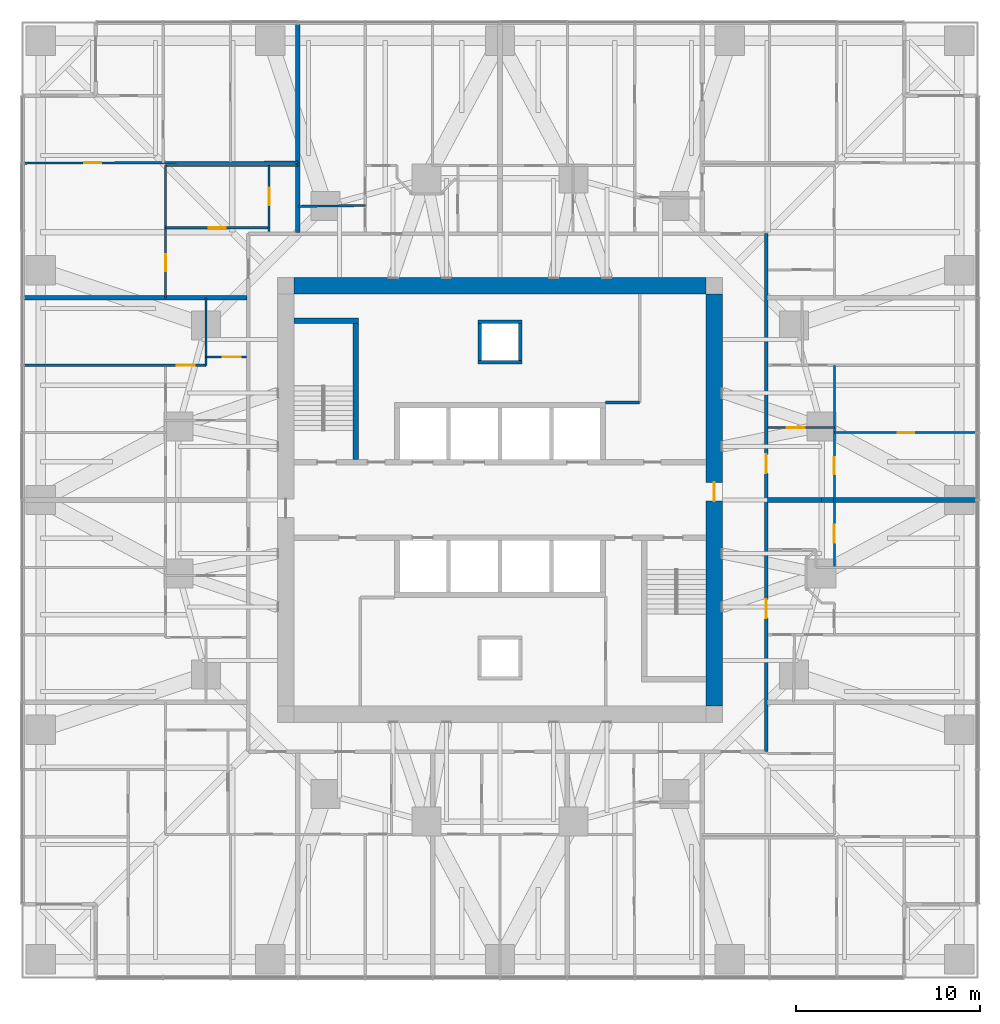
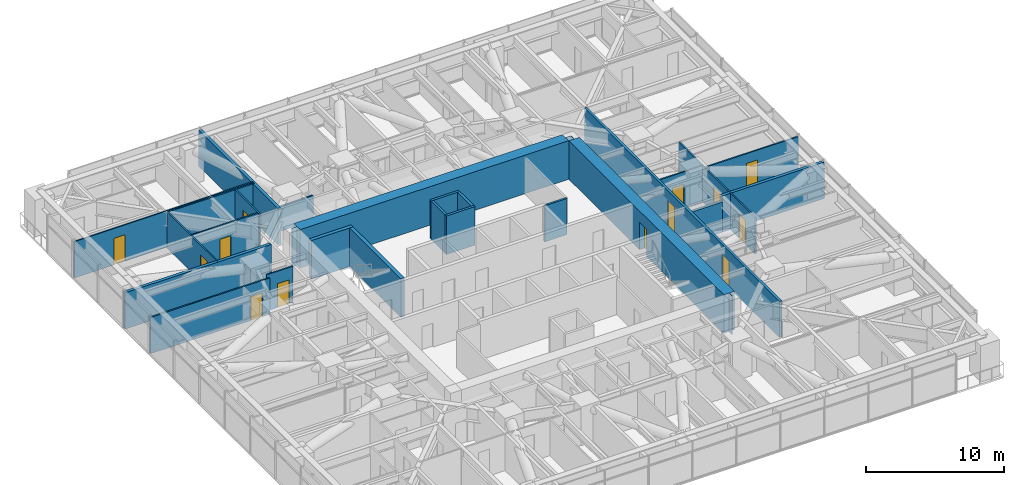
# One storey, part 13 of 17: 26 walls, 13 doors, 13 openings.
"""IFC4 building model written with IfcOpenShell, lengths in metres."""

from ifc_helpers import new_model, si_unit, direction, frame, frame_2d, origin, place, context, subcontext, project, spatial, polyline, rectangle, outline, extrude, material, layer, layer_set, type_object, element, fill, save


model = new_model("IFC4")

# Units and contexts
model_context = context("Model", 3, precision=1e-05, world=origin(), true_north=direction((0.0, 1.0)))
body_context = subcontext(model_context, "Body", "Model", "MODEL_VIEW")
ifc_project = project(units=[si_unit("LENGTHUNIT", "METRE"), si_unit("AREAUNIT", "SQUARE_METRE"), si_unit("VOLUMEUNIT", "CUBIC_METRE"), si_unit("PLANEANGLEUNIT", "RADIAN"), si_unit("MASSUNIT", "GRAM", prefix="KILO")], contexts=[model_context])

# Site, building, storey
site_placement = place(None, origin())
site = spatial("IfcSite", under=ifc_project, at=site_placement, CompositionType="ELEMENT")
building_placement = place(site_placement, origin())
building = spatial("IfcBuilding", under=site, at=building_placement, Name="Torsade Residences", CompositionType="ELEMENT")
storey_placement = place(building_placement, frame((0.0, 0.0, 38.800048828125)))
storey = spatial("IfcBuildingStorey", under=building, at=storey_placement, Name="L10", CompositionType="ELEMENT", Elevation=38.800048828125)

# Walls
ifc_material_1 = material(Name="Concrete 80 MPa", Category="concrete")
ifc_layer_1 = layer(ifc_material_1, 0.300048828125)
ifc_layer_set_1 = layer_set([ifc_layer_1], Name="Concrete 80 MPa")
wall_type_1 = type_object("IfcWallType", Name="CORE INTERNAL WALL 300", PredefinedType="SHEAR", material=ifc_layer_set_1)
wall_1_placement = place(storey_placement, frame((32.14990234375, 32.199951171875, 0.0), z_axis=(0.0, 0.0, 1.0), x_axis=(0.0, 1.0, 0.0)))
element("IfcWall", 1, at=wall_1_placement, inside=storey, type_object=wall_type_1, Name="Core wall ST1E L10", PredefinedType="SHEAR", context=body_context, shape_type="SweptSolid", body=[
    extrude(rectangle(XDim=7.699951171875, YDim=0.300048828125, at=frame_2d((3.85009765625, 0.0))), origin(), (0.0, 0.0, 1.0), 3.39990234375),
])
wall_2_placement = place(storey_placement, frame((28.800048828125, 39.75, 0.0), z_axis=(0.0, 0.0, 1.0), x_axis=(1.0, 0.0, 0.0)))
element("IfcWall", 2, at=wall_2_placement, inside=storey, type_object=wall_type_1, Name="Core wall ST1N L10", PredefinedType="SHEAR", context=body_context, shape_type="SweptSolid", body=[
    extrude(rectangle(XDim=3.5, YDim=0.300048828125, at=frame_2d((1.75, 0.0))), origin(), (0.0, 0.0, 1.0), 3.39990234375),
])
ifc_material_2 = material(Name="Concrete 80 MPa", Category="concrete")
ifc_layer_2 = layer(ifc_material_2, 0.89990234375)
ifc_layer_set_2 = layer_set([ifc_layer_2], Name="Concrete 80 MPa")
wall_type_2 = type_object("IfcWallType", Name="CORE WALL 900", PredefinedType="SHEAR", material=ifc_layer_set_2)
wall_3_placement = place(storey_placement, frame((28.800048828125, 41.64990234375, 0.0), z_axis=(0.0, 0.0, 1.0), x_axis=(1.0, 0.0, 0.0)))
element("IfcWall", 3, at=wall_3_placement, inside=storey, type_object=wall_type_2, Name="Core wall N L10", PredefinedType="SHEAR", context=body_context, shape_type="SweptSolid", body=[
    extrude(outline(polyline([(0.0, -0.449951171875), (22.39990234375, -0.449951171875), (22.39990234375, -0.02490234375), (22.849853515625, -0.02490234375), (22.849853515625, 0.02490234375), (22.39990234375, 0.02490234375), (22.39990234375, 0.449951171875), (0.0, 0.449951171875), (0.0, 0.02490234375), (-0.449951171875, 0.02490234375), (-0.449951171875, -0.02490234375), (0.0, -0.02490234375), (0.0, -0.449951171875)])), origin(), (0.0, 0.0, 1.0), 3.39990234375),
])

# Wall, opening, door
wall_4_placement = place(storey_placement, frame((51.64990234375, 18.800048828125, 0.0), z_axis=(0.0, 0.0, 1.0), x_axis=(0.0, 1.0, 0.0)))
wall_4 = element("IfcWall", 4, at=wall_4_placement, inside=storey, type_object=wall_type_2, Name="Core wall E L10", PredefinedType="SHEAR", context=body_context, shape_type="SweptSolid", body=[
    extrude(outline(polyline([(0.0, -0.449951171875), (22.39990234375, -0.449951171875), (22.39990234375, -0.02490234375), (22.849853515625, -0.02490234375), (22.849853515625, 0.02490234375), (22.39990234375, 0.02490234375), (22.39990234375, 0.449951171875), (0.0, 0.449951171875), (0.0, 0.02490234375), (-0.449951171875, 0.02490234375), (-0.449951171875, -0.02490234375), (0.0, -0.02490234375), (0.0, -0.449951171875)])), origin(), (0.0, 0.0, 1.0), 3.39990234375),
])
opening_1_placement = place(wall_4_placement, frame((11.139892578125, 0.0, 0.0)))
opening_1 = element("IfcOpeningElement", 5, at=opening_1_placement, cuts=wall_4, Name="Opening D04", PredefinedType="OPENING", context=body_context, shape_type="SweptSolid", body=[
    extrude(rectangle(XDim=1.02001953125, YDim=2.39990234375, at=frame_2d((0.510009765625, 1.199951171875))), frame((0.0, 0.4599609375, 0.0), z_axis=(0.0, -1.0, 0.0), x_axis=(1.0, 0.0, 0.0)), (0.0, 0.0, 1.0), 0.919921875),
])
ifc_material_3 = material(Name="Steel-framed fire door", Category="steel")
door_type_1 = type_object("IfcDoorType", Name="LOBBY SMOKE DOOR 1020x2400", OperationType="NOTDEFINED", PredefinedType="DOOR", material=ifc_material_3)
door_1_placement = place(opening_1_placement, origin())
door_1 = element("IfcDoor", 6, at=door_1_placement, inside=storey, type_object=door_type_1, Name="Lift lobby door E L10", OperationType="SINGLE_SWING_LEFT", OverallHeight=2.39990234375, OverallWidth=1.02001953125, PredefinedType="DOOR", context=body_context, shape_type="SweptSolid", body=[
    extrude(rectangle(XDim=1.02001953125, YDim=2.39990234375, at=frame_2d((0.510009765625, 1.199951171875))), frame((0.0, 0.02490234375, 0.0), z_axis=(0.0, -1.0, 0.0), x_axis=(1.0, 0.0, 0.0)), (0.0, 0.0, 1.0), 0.050048828125),
])
fill(opening_1, door_1)

# Wall, openings, doors
ifc_material_4 = material(Name="Plasterboard on steel stud", Category="steel")
ifc_layer_3 = layer(ifc_material_4, 0.199951171875)
ifc_layer_set_3 = layer_set([ifc_layer_3], Name="Plasterboard on steel stud")
wall_type_3 = type_object("IfcWallType", Name="CORRIDOR WALL 200", PredefinedType="PARTITIONING", material=ifc_layer_set_3)
wall_5_placement = place(storey_placement, frame((54.5, 16.300048828125, 0.0), z_axis=(0.0, 0.0, 1.0), x_axis=(0.0, 1.0, 0.0)))
wall_5 = element("IfcWall", 7, at=wall_5_placement, inside=storey, type_object=wall_type_3, Name="Corridor wall L10", PredefinedType="PARTITIONING", context=body_context, shape_type="SweptSolid", body=[
    extrude(rectangle(XDim=28.199951171875, YDim=0.199951171875, at=frame_2d((14.10009765625, 0.0))), origin(), (0.0, 0.0, 1.0), 3.199951171875),
])
opening_2_placement = place(wall_5_placement, frame((7.276611328125, 0.0, 0.0)))
opening_2 = element("IfcOpeningElement", 8, at=opening_2_placement, cuts=wall_5, Name="Opening D01", PredefinedType="OPENING", context=body_context, shape_type="SweptSolid", body=[
    extrude(rectangle(XDim=1.02001953125, YDim=2.340087890625, at=frame_2d((0.510009765625, 1.169921875))), frame((0.0, 0.10986328125, 0.0), z_axis=(0.0, -1.0, 0.0), x_axis=(1.0, 0.0, 0.0)), (0.0, 0.0, 1.0), 0.219970703125),
])
opening_3_placement = place(wall_5_placement, frame((15.16015625, 0.0, 0.0)))
opening_3 = element("IfcOpeningElement", 9, at=opening_3_placement, cuts=wall_5, Name="Opening D01", PredefinedType="OPENING", context=body_context, shape_type="SweptSolid", body=[
    extrude(rectangle(XDim=1.02001953125, YDim=2.340087890625, at=frame_2d((0.510009765625, 1.169921875))), frame((0.0, 0.10986328125, 0.0), z_axis=(0.0, -1.0, 0.0), x_axis=(1.0, 0.0, 0.0)), (0.0, 0.0, 1.0), 0.219970703125),
])
ifc_material_5 = material(Name="Solid-core timber fire door", Category="wood")
door_type_2 = type_object("IfcDoorType", Name="APARTMENT ENTRY DOOR 1020x2340", OperationType="NOTDEFINED", PredefinedType="DOOR", material=ifc_material_5)
door_2_placement = place(opening_2_placement, origin())
door_2 = element("IfcDoor", 10, at=door_2_placement, inside=storey, type_object=door_type_2, Name="Door Residential corridor to Kitchen and dining", OperationType="SINGLE_SWING_RIGHT", OverallHeight=2.340087890625, OverallWidth=1.02001953125, PredefinedType="DOOR", context=body_context, shape_type="SweptSolid", body=[
    extrude(rectangle(XDim=1.02001953125, YDim=2.340087890625, at=frame_2d((0.510009765625, 1.169921875))), frame((0.0, 0.02490234375, 0.0), z_axis=(0.0, -1.0, 0.0), x_axis=(1.0, 0.0, 0.0)), (0.0, 0.0, 1.0), 0.050048828125),
])
fill(opening_2, door_2)
door_3_placement = place(opening_3_placement, origin())
door_3 = element("IfcDoor", 11, at=door_3_placement, inside=storey, type_object=door_type_2, Name="Door Residential corridor to Kitchen and dining", OperationType="SINGLE_SWING_LEFT", OverallHeight=2.340087890625, OverallWidth=1.02001953125, PredefinedType="DOOR", context=body_context, shape_type="SweptSolid", body=[
    extrude(rectangle(XDim=1.02001953125, YDim=2.340087890625, at=frame_2d((0.510009765625, 1.169921875))), frame((0.0, 0.02490234375, 0.0), z_axis=(0.0, -1.0, 0.0), x_axis=(1.0, 0.0, 0.0)), (0.0, 0.0, 1.0), 0.050048828125),
])
fill(opening_3, door_3)

ifc_material_6 = material(Name="Plasterboard on steel stud", Category="steel")
ifc_layer_4 = layer(ifc_material_6, 0.1201171875)
ifc_layer_set_4 = layer_set([ifc_layer_4], Name="Plasterboard on steel stud")
wall_type_4 = type_object("IfcWallType", Name="PARTITION 120", PredefinedType="PARTITIONING", material=ifc_layer_set_4)
wall_6_placement = place(storey_placement, frame((58.199951171875, 37.333251953125, 0.0), z_axis=(0.0, 0.0, 1.0), x_axis=(0.0, -1.0, 0.0)))
wall_6 = element("IfcWall", 12, at=wall_6_placement, inside=storey, type_object=wall_type_4, Name="Partition L10", PredefinedType="PARTITIONING", context=body_context, shape_type="SweptSolid", body=[
    extrude(rectangle(XDim=11.0, YDim=0.1201171875, at=frame_2d((5.5, 0.0))), origin(), (0.0, 0.0, 1.0), 3.199951171875),
])
opening_4_placement = place(wall_6_placement, frame((5.014892578125, 0.0, 0.0)))
opening_4 = element("IfcOpeningElement", 13, at=opening_4_placement, cuts=wall_6, Name="Opening D02", PredefinedType="OPENING", context=body_context, shape_type="SweptSolid", body=[
    extrude(rectangle(XDim=0.919921875, YDim=2.340087890625, at=frame_2d((0.4599609375, 1.169921875))), frame((0.0, 0.070068359375, 0.0), z_axis=(0.0, -1.0, 0.0), x_axis=(1.0, 0.0, 0.0)), (0.0, 0.0, 1.0), 0.14013671875),
])
opening_5_placement = place(wall_6_placement, frame((8.686767578125, 0.0, 0.0)))
opening_5 = element("IfcOpeningElement", 14, at=opening_5_placement, cuts=wall_6, Name="Opening D05", PredefinedType="OPENING", context=body_context, shape_type="SweptSolid", body=[
    extrude(rectangle(XDim=0.9599609375, YDim=2.10009765625, at=frame_2d((0.47998046875, 1.050048828125))), frame((0.0, 0.070068359375, 0.0), z_axis=(0.0, -1.0, 0.0), x_axis=(1.0, 0.0, 0.0)), (0.0, 0.0, 1.0), 0.14013671875),
])
ifc_material_7 = material(Name="Hollow-core timber door in a steel cavity frame", Category="steel")
door_type_3 = type_object("IfcDoorType", Name="BATHROOM CAVITY SLIDING DOOR 960", OperationType="SLIDING_TO_LEFT", PredefinedType="DOOR", material=ifc_material_7)
door_4_placement = place(opening_5_placement, origin())
door_4 = element("IfcDoor", 15, at=door_4_placement, inside=storey, type_object=door_type_3, Name="Door Ensuite to Bedroom 1", OperationType="SLIDING_TO_LEFT", OverallHeight=2.10009765625, OverallWidth=0.9599609375, PredefinedType="DOOR", context=body_context, shape_type="SweptSolid", body=[
    extrude(rectangle(XDim=0.9599609375, YDim=2.10009765625, at=frame_2d((0.47998046875, 1.050048828125))), frame((0.0, 0.02490234375, 0.0), z_axis=(0.0, -1.0, 0.0), x_axis=(1.0, 0.0, 0.0)), (0.0, 0.0, 1.0), 0.050048828125),
])
fill(opening_5, door_4)
ifc_material_8 = material(Name="Hollow-core timber door", Category="wood")
door_type_4 = type_object("IfcDoorType", Name="INTERNAL DOOR 920x2340", OperationType="NOTDEFINED", PredefinedType="DOOR", material=ifc_material_8)
door_5_placement = place(opening_4_placement, origin())
door_5 = element("IfcDoor", 16, at=door_5_placement, inside=storey, type_object=door_type_4, Name="Door Kitchen and dining to Living room", OperationType="SINGLE_SWING_LEFT", OverallHeight=2.340087890625, OverallWidth=0.919921875, PredefinedType="DOOR", context=body_context, shape_type="SweptSolid", body=[
    extrude(rectangle(XDim=0.919921875, YDim=2.340087890625, at=frame_2d((0.4599609375, 1.169921875))), frame((0.0, 0.02490234375, 0.0), z_axis=(0.0, -1.0, 0.0), x_axis=(1.0, 0.0, 0.0)), (0.0, 0.0, 1.0), 0.050048828125),
])
fill(opening_4, door_5)

# Wall, opening, door
wall_7_placement = place(storey_placement, frame((54.60009765625, 33.9404296875, 0.0), z_axis=(0.0, 0.0, 1.0), x_axis=(1.0, 0.0, 0.0)))
wall_7 = element("IfcWall", 17, at=wall_7_placement, inside=storey, type_object=wall_type_4, Name="Partition L10", PredefinedType="PARTITIONING", context=body_context, shape_type="SweptSolid", body=[
    extrude(rectangle(XDim=3.599853515625, YDim=0.1201171875, at=frame_2d((1.7998046875, 0.0))), origin(), (0.0, 0.0, 1.0), 3.199951171875),
])
opening_6_placement = place(wall_7_placement, frame((1.02001953125, 0.0, 0.0)))
opening_6 = element("IfcOpeningElement", 18, at=opening_6_placement, cuts=wall_7, Name="Opening D05", PredefinedType="OPENING", context=body_context, shape_type="SweptSolid", body=[
    extrude(rectangle(XDim=0.9599609375, YDim=2.10009765625, at=frame_2d((0.47998046875, 1.050048828125))), frame((0.0, 0.070068359375, 0.0), z_axis=(0.0, -1.0, 0.0), x_axis=(1.0, 0.0, 0.0)), (0.0, 0.0, 1.0), 0.14013671875),
])
door_6_placement = place(opening_6_placement, origin())
door_6 = element("IfcDoor", 19, at=door_6_placement, inside=storey, type_object=door_type_3, Name="Door Kitchen and dining to Ensuite", OperationType="SLIDING_TO_LEFT", OverallHeight=2.10009765625, OverallWidth=0.9599609375, PredefinedType="DOOR", context=body_context, shape_type="SweptSolid", body=[
    extrude(rectangle(XDim=0.9599609375, YDim=2.10009765625, at=frame_2d((0.47998046875, 1.050048828125))), frame((0.0, 0.02490234375, 0.0), z_axis=(0.0, -1.0, 0.0), x_axis=(1.0, 0.0, 0.0)), (0.0, 0.0, 1.0), 0.050048828125),
])
fill(opening_6, door_6)

wall_8_placement = place(storey_placement, frame((58.199951171875, 33.666748046875, 0.0), z_axis=(0.0, 0.0, 1.0), x_axis=(1.0, 0.0, 0.0)))
wall_8 = element("IfcWall", 20, at=wall_8_placement, inside=storey, type_object=wall_type_4, Name="Partition L10", PredefinedType="PARTITIONING", context=body_context, shape_type="SweptSolid", body=[
    extrude(rectangle(XDim=7.760009765625, YDim=0.1201171875, at=frame_2d((3.8798828125, 0.0))), origin(), (0.0, 0.0, 1.0), 3.199951171875),
])
opening_7_placement = place(wall_8_placement, frame((3.43994140625, 0.0, 0.0)))
opening_7 = element("IfcOpeningElement", 21, at=opening_7_placement, cuts=wall_8, Name="Opening D02", PredefinedType="OPENING", context=body_context, shape_type="SweptSolid", body=[
    extrude(rectangle(XDim=0.919921875, YDim=2.340087890625, at=frame_2d((0.4599609375, 1.169921875))), frame((0.0, 0.070068359375, 0.0), z_axis=(0.0, -1.0, 0.0), x_axis=(1.0, 0.0, 0.0)), (0.0, 0.0, 1.0), 0.14013671875),
])
door_7_placement = place(opening_7_placement, origin())
door_7 = element("IfcDoor", 22, at=door_7_placement, inside=storey, type_object=door_type_4, Name="Door Living room to Bedroom 2", OperationType="SINGLE_SWING_LEFT", OverallHeight=2.340087890625, OverallWidth=0.919921875, PredefinedType="DOOR", context=body_context, shape_type="SweptSolid", body=[
    extrude(rectangle(XDim=0.919921875, YDim=2.340087890625, at=frame_2d((0.4599609375, 1.169921875))), frame((0.0, 0.02490234375, 0.0), z_axis=(0.0, -1.0, 0.0), x_axis=(1.0, 0.0, 0.0)), (0.0, 0.0, 1.0), 0.050048828125),
])
fill(opening_7, door_7)

# Wall
wall_9_placement = place(storey_placement, frame((29.0, 45.979736328125, 0.0), z_axis=(0.0, 0.0, 1.0), x_axis=(0.999909565989, 0.013448414164, 0.0)))
element("IfcWall", 23, at=wall_9_placement, inside=storey, type_object=wall_type_4, Name="Partition L10", PredefinedType="PARTITIONING", context=body_context, shape_type="SweptSolid", body=[
    extrude(rectangle(XDim=3.6669921875, YDim=0.1201171875, at=frame_2d((1.83349609375, 0.0))), origin(), (0.0, 0.0, 1.0), 2.199951171875),
])

# Wall, opening, door
wall_10_placement = place(storey_placement, frame((21.800048828125, 44.82080078125, 0.0), z_axis=(0.0, 0.0, 1.0), x_axis=(1.0, 0.0, 0.0)))
wall_10 = element("IfcWall", 24, at=wall_10_placement, inside=storey, type_object=wall_type_4, Name="Partition L10", PredefinedType="PARTITIONING", context=body_context, shape_type="SweptSolid", body=[
    extrude(rectangle(XDim=5.631103515625, YDim=0.1201171875, at=frame_2d((2.8154296875, 0.0))), origin(), (0.0, 0.0, 1.0), 3.199951171875),
])
opening_8_placement = place(wall_10_placement, frame((2.35546875, 0.0, 0.0)))
opening_8 = element("IfcOpeningElement", 25, at=opening_8_placement, cuts=wall_10, Name="Opening D02N", PredefinedType="OPENING", context=body_context, shape_type="SweptSolid", body=[
    extrude(rectangle(XDim=0.919921875, YDim=2.0, at=frame_2d((0.4599609375, 1.0))), frame((0.0, 0.070068359375, 0.0), z_axis=(0.0, -1.0, 0.0), x_axis=(1.0, 0.0, 0.0)), (0.0, 0.0, 1.0), 0.14013671875),
])
ifc_material_9 = material(Name="Hollow-core timber door", Category="wood")
door_type_5 = type_object("IfcDoorType", Name="INTERNAL DOOR 920x2000", OperationType="NOTDEFINED", PredefinedType="DOOR", material=ifc_material_9)
door_8_placement = place(opening_8_placement, origin())
door_8 = element("IfcDoor", 26, at=door_8_placement, inside=storey, type_object=door_type_5, Name="Door Kitchen and dining to Scullery", OperationType="SINGLE_SWING_RIGHT", OverallHeight=2.0, OverallWidth=0.919921875, PredefinedType="DOOR", context=body_context, shape_type="SweptSolid", body=[
    extrude(rectangle(XDim=0.919921875, YDim=2.0, at=frame_2d((0.4599609375, 1.0))), frame((0.0, 0.02490234375, 0.0), z_axis=(0.0, -1.0, 0.0), x_axis=(1.0, 0.0, 0.0)), (0.0, 0.0, 1.0), 0.050048828125),
])
fill(opening_8, door_8)

wall_11_placement = place(storey_placement, frame((27.43115234375, 48.199951171875, 0.0), z_axis=(0.0, 0.0, 1.0), x_axis=(0.0, -1.0, 0.0)))
wall_11 = element("IfcWall", 27, at=wall_11_placement, inside=storey, type_object=wall_type_4, Name="Partition L10", PredefinedType="PARTITIONING", context=body_context, shape_type="SweptSolid", body=[
    extrude(rectangle(XDim=3.599853515625, YDim=0.1201171875, at=frame_2d((1.7998046875, 0.0))), origin(), (0.0, 0.0, 1.0), 3.199951171875),
])
opening_9_placement = place(wall_11_placement, frame((1.20947265625, 0.0, 0.0)))
opening_9 = element("IfcOpeningElement", 28, at=opening_9_placement, cuts=wall_11, Name="Opening D05", PredefinedType="OPENING", context=body_context, shape_type="SweptSolid", body=[
    extrude(rectangle(XDim=0.9599609375, YDim=2.10009765625, at=frame_2d((0.47998046875, 1.050048828125))), frame((0.0, 0.070068359375, 0.0), z_axis=(0.0, -1.0, 0.0), x_axis=(1.0, 0.0, 0.0)), (0.0, 0.0, 1.0), 0.14013671875),
])
door_9_placement = place(opening_9_placement, origin())
door_9 = element("IfcDoor", 29, at=door_9_placement, inside=storey, type_object=door_type_3, Name="Door Scullery to Bathroom", OperationType="SLIDING_TO_LEFT", OverallHeight=2.10009765625, OverallWidth=0.9599609375, PredefinedType="DOOR", context=body_context, shape_type="SweptSolid", body=[
    extrude(rectangle(XDim=0.9599609375, YDim=2.10009765625, at=frame_2d((0.47998046875, 1.050048828125))), frame((0.0, 0.02490234375, 0.0), z_axis=(0.0, -1.0, 0.0), x_axis=(1.0, 0.0, 0.0)), (0.0, 0.0, 1.0), 0.050048828125),
])
fill(opening_9, door_9)

wall_12_placement = place(storey_placement, frame((21.800048828125, 41.0, 0.0), z_axis=(0.0, 0.0, 1.0), x_axis=(0.0, 1.0, 0.0)))
wall_12 = element("IfcWall", 30, at=wall_12_placement, inside=storey, type_object=wall_type_4, Name="Partition L10", PredefinedType="PARTITIONING", context=body_context, shape_type="SweptSolid", body=[
    extrude(rectangle(XDim=7.199951171875, YDim=0.1201171875, at=frame_2d((3.60009765625, 0.0))), origin(), (0.0, 0.0, 1.0), 3.199951171875),
])
opening_10_placement = place(wall_12_placement, frame((1.450439453125, 0.0, 0.0)))
opening_10 = element("IfcOpeningElement", 31, at=opening_10_placement, cuts=wall_12, Name="Opening D02", PredefinedType="OPENING", context=body_context, shape_type="SweptSolid", body=[
    extrude(rectangle(XDim=0.919921875, YDim=2.340087890625, at=frame_2d((0.4599609375, 1.169921875))), frame((0.0, 0.070068359375, 0.0), z_axis=(0.0, -1.0, 0.0), x_axis=(1.0, 0.0, 0.0)), (0.0, 0.0, 1.0), 0.14013671875),
])
door_10_placement = place(opening_10_placement, origin())
door_10 = element("IfcDoor", 32, at=door_10_placement, inside=storey, type_object=door_type_4, Name="Door Kitchen and dining to Living room", OperationType="SINGLE_SWING_LEFT", OverallHeight=2.340087890625, OverallWidth=0.919921875, PredefinedType="DOOR", context=body_context, shape_type="SweptSolid", body=[
    extrude(rectangle(XDim=0.919921875, YDim=2.340087890625, at=frame_2d((0.4599609375, 1.169921875))), frame((0.0, 0.02490234375, 0.0), z_axis=(0.0, -1.0, 0.0), x_axis=(1.0, 0.0, 0.0)), (0.0, 0.0, 1.0), 0.050048828125),
])
fill(opening_10, door_10)

# Wall
wall_13_placement = place(storey_placement, frame((21.800048828125, 48.199951171875, 0.0), z_axis=(0.0, 0.0, 1.0), x_axis=(1.0, 0.0, 0.0)))
element("IfcWall", 33, at=wall_13_placement, inside=storey, type_object=wall_type_4, Name="Partition L10", PredefinedType="PARTITIONING", context=body_context, shape_type="SweptSolid", body=[
    extrude(rectangle(XDim=7.199951171875, YDim=0.1201171875, at=frame_2d((3.60009765625, 0.0))), origin(), (0.0, 0.0, 1.0), 3.199951171875),
])

# Wall, opening, door
wall_14_placement = place(storey_placement, frame((14.0400390625, 48.333251953125, 0.0), z_axis=(0.0, 0.0, 1.0), x_axis=(0.9999944038, 0.003345499915, 0.0)))
wall_14 = element("IfcWall", 34, at=wall_14_placement, inside=storey, type_object=wall_type_4, Name="Partition L10", PredefinedType="PARTITIONING", context=body_context, shape_type="SweptSolid", body=[
    extrude(rectangle(XDim=14.9599609375, YDim=0.1201171875, at=frame_2d((7.47998046875, 0.0))), origin(), (0.0, 0.0, 1.0), 3.199951171875),
])
opening_11_placement = place(wall_14_placement, frame((3.333251953125, 0.0, 0.0)))
opening_11 = element("IfcOpeningElement", 35, at=opening_11_placement, cuts=wall_14, Name="Opening D02", PredefinedType="OPENING", context=body_context, shape_type="SweptSolid", body=[
    extrude(rectangle(XDim=0.919921875, YDim=2.340087890625, at=frame_2d((0.4599609375, 1.169921875))), frame((0.0, 0.070068359375, 0.0), z_axis=(0.0, -1.0, 0.0), x_axis=(1.0, 0.0, 0.0)), (0.0, 0.0, 1.0), 0.14013671875),
])
door_11_placement = place(opening_11_placement, origin())
door_11 = element("IfcDoor", 36, at=door_11_placement, inside=storey, type_object=door_type_4, Name="Door Living room to Bedroom 1", OperationType="SINGLE_SWING_LEFT", OverallHeight=2.340087890625, OverallWidth=0.919921875, PredefinedType="DOOR", context=body_context, shape_type="SweptSolid", body=[
    extrude(rectangle(XDim=0.919921875, YDim=2.340087890625, at=frame_2d((0.4599609375, 1.169921875))), frame((0.0, 0.02490234375, 0.0), z_axis=(0.0, -1.0, 0.0), x_axis=(1.0, 0.0, 0.0)), (0.0, 0.0, 1.0), 0.050048828125),
])
fill(opening_11, door_11)

wall_15_placement = place(storey_placement, frame((24.0, 37.783203125, 0.0), z_axis=(0.0, 0.0, 1.0), x_axis=(1.0, 0.0, 0.0)))
wall_15 = element("IfcWall", 37, at=wall_15_placement, inside=storey, type_object=wall_type_4, Name="Partition L10", PredefinedType="PARTITIONING", context=body_context, shape_type="SweptSolid", body=[
    extrude(rectangle(XDim=2.199951171875, YDim=0.1201171875, at=frame_2d((1.10009765625, 0.0))), origin(), (0.0, 0.0, 1.0), 3.199951171875),
])
opening_12_placement = place(wall_15_placement, frame((0.919921875, 0.0, 0.0)))
opening_12 = element("IfcOpeningElement", 38, at=opening_12_placement, cuts=wall_15, Name="Opening D05", PredefinedType="OPENING", context=body_context, shape_type="SweptSolid", body=[
    extrude(rectangle(XDim=0.9599609375, YDim=2.10009765625, at=frame_2d((0.47998046875, 1.050048828125))), frame((0.0, 0.070068359375, 0.0), z_axis=(0.0, -1.0, 0.0), x_axis=(1.0, 0.0, 0.0)), (0.0, 0.0, 1.0), 0.14013671875),
])
door_12_placement = place(opening_12_placement, origin())
door_12 = element("IfcDoor", 39, at=door_12_placement, inside=storey, type_object=door_type_3, Name="Door Bathroom to Ensuite", OperationType="SLIDING_TO_LEFT", OverallHeight=2.10009765625, OverallWidth=0.9599609375, PredefinedType="DOOR", context=body_context, shape_type="SweptSolid", body=[
    extrude(rectangle(XDim=0.9599609375, YDim=2.10009765625, at=frame_2d((0.47998046875, 1.050048828125))), frame((0.0, 0.02490234375, 0.0), z_axis=(0.0, -1.0, 0.0), x_axis=(1.0, 0.0, 0.0)), (0.0, 0.0, 1.0), 0.050048828125),
])
fill(opening_12, door_12)

wall_16_placement = place(storey_placement, frame((14.0400390625, 37.333251953125, 0.0), z_axis=(0.0, 0.0, 1.0), x_axis=(1.0, 0.0, 0.0)))
wall_16 = element("IfcWall", 40, at=wall_16_placement, inside=storey, type_object=wall_type_4, Name="Partition L10", PredefinedType="PARTITIONING", context=body_context, shape_type="SweptSolid", body=[
    extrude(rectangle(XDim=9.9599609375, YDim=0.1201171875, at=frame_2d((4.97998046875, 0.0))), origin(), (0.0, 0.0, 1.0), 3.199951171875),
])
opening_13_placement = place(wall_16_placement, frame((8.3798828125, 0.0, 0.0)))
opening_13 = element("IfcOpeningElement", 41, at=opening_13_placement, cuts=wall_16, Name="Opening D05", PredefinedType="OPENING", context=body_context, shape_type="SweptSolid", body=[
    extrude(rectangle(XDim=0.9599609375, YDim=2.10009765625, at=frame_2d((0.47998046875, 1.050048828125))), frame((0.0, 0.070068359375, 0.0), z_axis=(0.0, -1.0, 0.0), x_axis=(1.0, 0.0, 0.0)), (0.0, 0.0, 1.0), 0.14013671875),
])
door_13_placement = place(opening_13_placement, origin())
door_13 = element("IfcDoor", 42, at=door_13_placement, inside=storey, type_object=door_type_3, Name="Door Bathroom to Living room", OperationType="SLIDING_TO_LEFT", OverallHeight=2.10009765625, OverallWidth=0.9599609375, PredefinedType="DOOR", context=body_context, shape_type="SweptSolid", body=[
    extrude(rectangle(XDim=0.9599609375, YDim=2.10009765625, at=frame_2d((0.47998046875, 1.050048828125))), frame((0.0, 0.02490234375, 0.0), z_axis=(0.0, -1.0, 0.0), x_axis=(1.0, 0.0, 0.0)), (0.0, 0.0, 1.0), 0.050048828125),
])
fill(opening_13, door_13)

# Walls
wall_17_placement = place(storey_placement, frame((24.0, 37.333251953125, 0.0), z_axis=(0.0, 0.0, 1.0), x_axis=(0.0, 1.0, 0.0)))
element("IfcWall", 43, at=wall_17_placement, inside=storey, type_object=wall_type_4, Name="Partition L10", PredefinedType="PARTITIONING", context=body_context, shape_type="SweptSolid", body=[
    extrude(rectangle(XDim=3.666748046875, YDim=0.1201171875, at=frame_2d((1.83349609375, 0.0))), origin(), (0.0, 0.0, 1.0), 2.199951171875),
])
ifc_material_10 = material(Name="Masonry-lined stud party wall", Category="masonry")
ifc_layer_5 = layer(ifc_material_10, 0.25)
ifc_layer_set_5 = layer_set([ifc_layer_5], Name="Masonry-lined stud party wall")
wall_type_5 = type_object("IfcWallType", Name="PARTY WALL 250", PredefinedType="PARTITIONING", material=ifc_layer_set_5)
wall_18_placement = place(storey_placement, frame((29.0, 56.0, 0.0), z_axis=(0.0, 0.0, 1.0), x_axis=(0.0, -1.0, 0.0)))
element("IfcWall", 44, at=wall_18_placement, inside=storey, type_object=wall_type_5, Name="Party wall L10", PredefinedType="PARTITIONING", context=body_context, shape_type="SweptSolid", body=[
    extrude(rectangle(XDim=11.43994140625, YDim=0.25, at=frame_2d((5.719970703125, 0.0))), origin(), (0.0, 0.0, 1.0), 3.199951171875),
])
wall_19_placement = place(storey_placement, frame((14.0, 41.0, 0.0), z_axis=(0.0, 0.0, 1.0), x_axis=(1.0, 0.0, 0.0)))
element("IfcWall", 45, at=wall_19_placement, inside=storey, type_object=wall_type_5, Name="Party wall L10", PredefinedType="PARTITIONING", context=body_context, shape_type="SweptSolid", body=[
    extrude(rectangle(XDim=12.239990234375, YDim=0.25, at=frame_2d((6.1201171875, 0.0))), origin(), (0.0, 0.0, 1.0), 3.199951171875),
])
wall_20_placement = place(storey_placement, frame((66.0, 30.0, 0.0), z_axis=(0.0, 0.0, 1.0), x_axis=(-1.0, 0.0, 0.0)))
element("IfcWall", 46, at=wall_20_placement, inside=storey, type_object=wall_type_5, Name="Party wall L10", PredefinedType="PARTITIONING", context=body_context, shape_type="SweptSolid", body=[
    extrude(rectangle(XDim=8.5, YDim=0.25, at=frame_2d((4.25, 0.0))), origin(), (0.0, 0.0, 1.0), 3.199951171875),
])
wall_21_placement = place(storey_placement, frame((57.5, 30.0, 0.0), z_axis=(0.0, 0.0, 1.0), x_axis=(-1.0, 0.0, 0.0)))
element("IfcWall", 47, at=wall_21_placement, inside=storey, type_object=wall_type_5, Name="Party wall L10", PredefinedType="PARTITIONING", context=body_context, shape_type="SweptSolid", body=[
    extrude(rectangle(XDim=2.93994140625, YDim=0.25, at=frame_2d((1.469970703125, 0.0))), origin(), (0.0, 0.0, 1.0), 2.6708984375),
])
ifc_material_11 = material(Name="Reinforced blockwork", Category="masonry")
ifc_layer_6 = layer(ifc_material_11, 0.199951171875)
ifc_layer_set_6 = layer_set([ifc_layer_6], Name="Reinforced blockwork")
wall_type_6 = type_object("IfcWallType", Name="RISER SHAFT WALL 200", PredefinedType="SOLIDWALL", material=ifc_layer_set_6)
for number, where, z_axis, x_axis, name in (
    (48, (38.89990234375, 37.60009765625, 0.0), (0.0, 0.0, 1.0), (0.0, 1.0, 0.0), "Core wall RS1a L10"),
    (49, (41.10009765625, 37.60009765625, 0.0), (0.0, 0.0, 1.0), (0.0, 1.0, 0.0), "Core wall RS1b L10"),
):
    element("IfcWall", number, at=place(storey_placement, frame(where, z_axis=z_axis, x_axis=x_axis)), inside=storey, type_object=wall_type_6, Name=name, PredefinedType="SOLIDWALL", context=body_context, shape_type="SweptSolid", body=[
        extrude(rectangle(XDim=2.0, YDim=0.199951171875, at=frame_2d((1.0, 0.0))), origin(), (0.0, 0.0, 1.0), 3.39990234375),
    ])
for number, where, z_axis, x_axis, name in (
    (50, (38.800048828125, 37.5, 0.0), (0.0, 0.0, 1.0), (1.0, 0.0, 0.0), "Core wall RS1c L10"),
    (51, (38.800048828125, 39.699951171875, 0.0), (0.0, 0.0, 1.0), (1.0, 0.0, 0.0), "Core wall RS1d L10"),
):
    element("IfcWall", number, at=place(storey_placement, frame(where, z_axis=z_axis, x_axis=x_axis)), inside=storey, type_object=wall_type_6, Name=name, PredefinedType="SOLIDWALL", context=body_context, shape_type="SweptSolid", body=[
        extrude(rectangle(XDim=2.39990234375, YDim=0.199951171875, at=frame_2d((1.199951171875, 0.0))), origin(), (0.0, 0.0, 1.0), 3.39990234375),
    ])
ifc_material_12 = material(Name="Reinforced blockwork", Category="masonry")
ifc_layer_7 = layer(ifc_material_12, 0.14990234375)
ifc_layer_set_7 = layer_set([ifc_layer_7], Name="Reinforced blockwork")
wall_type_7 = type_object("IfcWallType", Name="SERVICE ROOM WALL 150", PredefinedType="SOLIDWALL", material=ifc_layer_set_7)
wall_22_placement = place(storey_placement, frame((47.60009765625, 35.300048828125, 0.0), z_axis=(0.0, 0.0, 1.0), x_axis=(-1.0, 0.0, 0.0)))
element("IfcWall", 52, at=wall_22_placement, inside=storey, type_object=wall_type_7, Name="Service room wall L10", PredefinedType="SOLIDWALL", context=body_context, shape_type="SweptSolid", body=[
    extrude(rectangle(XDim=1.85009765625, YDim=0.14990234375, at=frame_2d((0.925048828125, 0.0))), origin(), (0.0, 0.0, 1.0), 3.199951171875),
])

save(model, "model.ifc")
